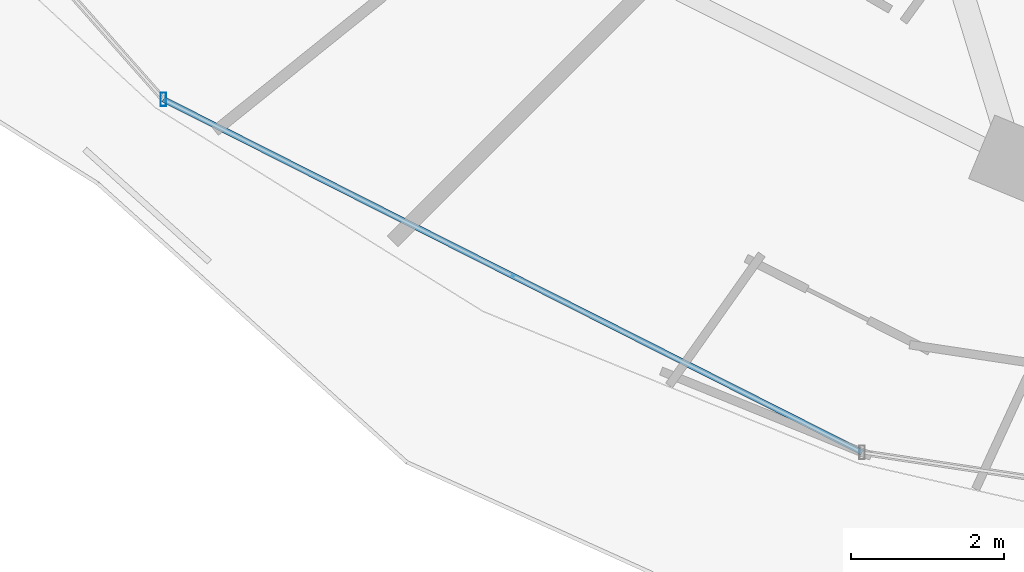
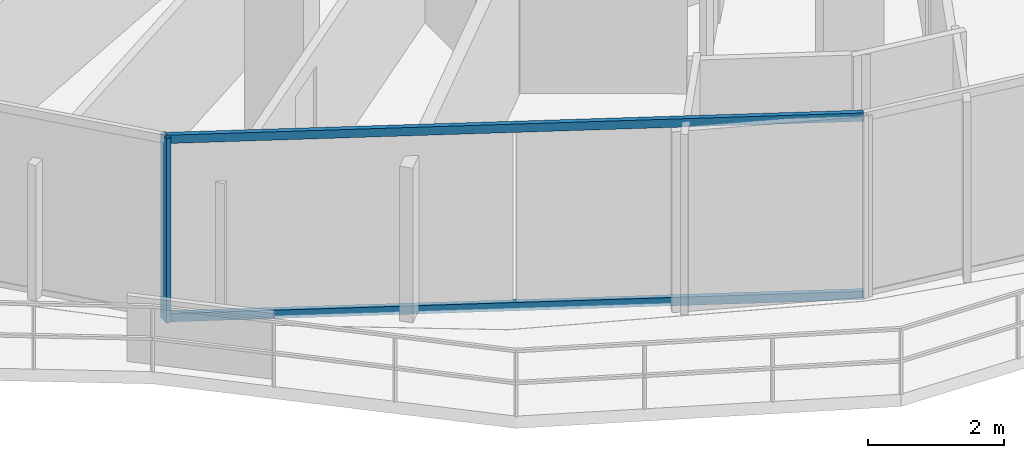
# One storey, part 2 of 34: 3 members, 1 element without a shape of its own.
"""IFC4 building model written with IfcOpenShell, lengths in metres."""

from ifc_helpers import new_model, si_unit, direction, frame, origin, origin_2d, place, context, subcontext, project, spatial, hollow_rectangle, extrude, material, material_profile, profile_set, type_object, element, aggregate, save


model = new_model("IFC4")

# Units and contexts
model_context = context("Model", 3, precision=1e-05, world=origin(), true_north=direction((0.0, 1.0)))
body_context = subcontext(model_context, "Body", "Model", "MODEL_VIEW")
ifc_project = project(units=[si_unit("LENGTHUNIT", "METRE"), si_unit("AREAUNIT", "SQUARE_METRE"), si_unit("VOLUMEUNIT", "CUBIC_METRE"), si_unit("PLANEANGLEUNIT", "RADIAN"), si_unit("MASSUNIT", "GRAM", prefix="KILO")], contexts=[model_context])

# Site, building, storey
site_placement = place(None, origin())
site = spatial("IfcSite", under=ifc_project, at=site_placement, CompositionType="ELEMENT")
building_placement = place(site_placement, origin())
building = spatial("IfcBuilding", under=site, at=building_placement, Name="Vorneva Point Tower", CompositionType="ELEMENT")
storey_placement = place(building_placement, frame((0.0, 0.0, 186.10009765625)))
storey = spatial("IfcBuildingStorey", under=building, at=storey_placement, Name="L50", CompositionType="ELEMENT", Elevation=186.10009765625)

# Curtain wall, members
ifc_material = material(Name="Pale anodised aluminium", Category="aluminium")
curtain_wall_type = type_object("IfcCurtainWallType", Name="CW-RES-SYS", PredefinedType="NOTDEFINED", material=ifc_material)
curtain_wall_placement = place(storey_placement, origin())
curtain_wall = element("IfcCurtainWall", 1, at=curtain_wall_placement, inside=storey, type_object=curtain_wall_type, Name="L50 Unitised Curtain Wall CW-L50-R03", PredefinedType="NOTDEFINED")
ifc_material_profile_1 = material_profile(ifc_material, hollow_rectangle(XDim=0.074951171875, YDim=0.179931640625, WallThickness=0.00390625, at=origin_2d()), Name="AL-MUL 180x75x4")
ifc_profile_set_1 = profile_set([ifc_material_profile_1], Name="Pale anodised aluminium")
member_type_1 = type_object("IfcMemberType", Name="CW-MUL-180", PredefinedType="MULLION", material=ifc_profile_set_1)
member_1_placement = place(storey_placement, frame((18.038330078125, 10.9033203125, -0.0400390625), z_axis=(0.0, 0.0, 1.0), x_axis=(1.0, 0.0, 0.0)))
member_1 = element("IfcMember", 2, at=member_1_placement, type_object=member_type_1, Name="CW-L50-R03 Mullion 02", PredefinedType="MULLION", context=body_context, shape_type="SweptSolid", body=[
    extrude(hollow_rectangle(XDim=0.074951171875, YDim=0.179931640625, WallThickness=0.00390625, at=origin_2d()), origin(), (0.0, 0.0, 1.0), 3.31005859375),
])
ifc_material_profile_2 = material_profile(ifc_material, hollow_rectangle(XDim=0.074951171875, YDim=0.14990234375, WallThickness=0.00390625, at=origin_2d()), Name="AL-TRN 150x75x4")
ifc_profile_set_2 = profile_set([ifc_material_profile_2], Name="Pale anodised aluminium")
member_type_2 = type_object("IfcMemberType", Name="CW-TRN-150", PredefinedType="USERDEFINED", material=ifc_profile_set_2)
member_2_placement = place(storey_placement, frame((18.038330078125, 10.9033203125, 0.02001953125), z_axis=(0.892510927709, -0.451025768576, 0.0), x_axis=(0.451025768576, 0.892510927709, 0.0)))
member_2 = element("IfcMember", 3, at=member_2_placement, type_object=member_type_2, Name="CW-L50-R03 Transom 02.1", ObjectType="TRANSOM", PredefinedType="USERDEFINED", context=body_context, shape_type="SweptSolid", body=[
    extrude(hollow_rectangle(XDim=0.074951171875, YDim=0.14990234375, WallThickness=0.00390625, at=origin_2d()), origin(), (0.0, 0.0, 1.0), 10.261474609375),
])
member_3_placement = place(storey_placement, frame((18.038330078125, 10.9033203125, 3.219970703125), z_axis=(0.892510927709, -0.451025768576, 0.0), x_axis=(0.451025768576, 0.892510927709, 0.0)))
member_3 = element("IfcMember", 4, at=member_3_placement, type_object=member_type_2, Name="CW-L50-R03 Transom 02.2", ObjectType="TRANSOM", PredefinedType="USERDEFINED", context=body_context, shape_type="SweptSolid", body=[
    extrude(hollow_rectangle(XDim=0.074951171875, YDim=0.14990234375, WallThickness=0.00390625, at=origin_2d()), origin(), (0.0, 0.0, 1.0), 10.261474609375),
])
aggregate(curtain_wall, [member_1, member_2, member_3])

save(model, "model.ifc")
